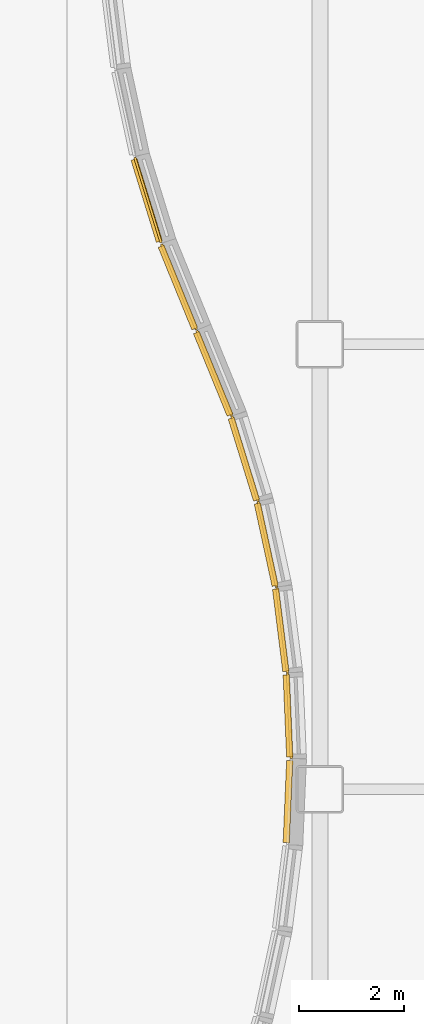
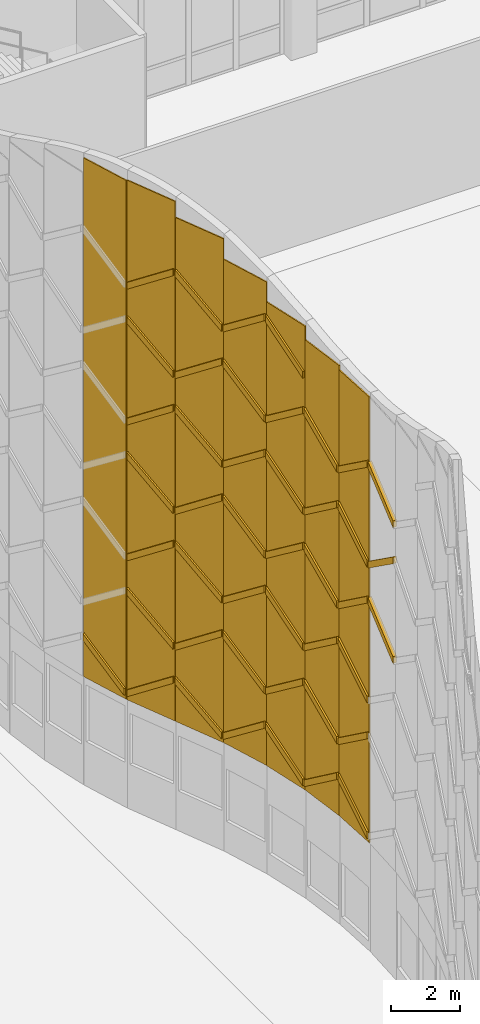
# One storey, part 153 of 165: 51 coverings.
"""IFC4 building model written with IfcOpenShell, lengths in metres."""

from ifc_helpers import new_model, si_unit, direction, frame, origin, origin_2d, place, context, subcontext, project, spatial, polyline, rectangle, outline, extrude, material, layer, layer_set, type_object, element, save


model = new_model("IFC4")

# Units and contexts
model_context = context("Model", 3, precision=1e-05, world=origin(), true_north=direction((0.0, 1.0)))
body_context = subcontext(model_context, "Body", "Model", "MODEL_VIEW")
ifc_project = project(units=[si_unit("LENGTHUNIT", "METRE"), si_unit("AREAUNIT", "SQUARE_METRE"), si_unit("VOLUMEUNIT", "CUBIC_METRE"), si_unit("PLANEANGLEUNIT", "RADIAN"), si_unit("MASSUNIT", "GRAM", prefix="KILO")], contexts=[model_context])

# Site, building, storey
site_placement = place(None, origin())
site = spatial("IfcSite", under=ifc_project, at=site_placement, CompositionType="ELEMENT")
building_placement = place(site_placement, origin())
building = spatial("IfcBuilding", under=site, at=building_placement, Name="Kazehara Bluff Congress Hotel", CompositionType="ELEMENT")
storey_placement = place(building_placement, origin())
storey = spatial("IfcBuildingStorey", under=building, at=storey_placement, Name="L00", CompositionType="ELEMENT", Elevation=0.0)

# Coverings
ifc_material_1 = material(Name="Basalt stone-grey chevron ceramic tile", Category="masonry")
ifc_layer_1 = layer(ifc_material_1, 0.1201171875)
ifc_layer_set_1 = layer_set([ifc_layer_1], Name="Basalt stone-grey chevron ceramic tile")
covering_type_1 = type_object("IfcCoveringType", Name="TP-CHV-RIB", PredefinedType="CLADDING", material=ifc_layer_set_1)
covering_1_placement = place(storey_placement, frame((4.159912109375, 71.39501953125, 11.199951171875), z_axis=(0.0, 0.0, 1.0), x_axis=(0.042688459142, 0.99908843225, 0.0)))
element("IfcCovering", 1, at=covering_1_placement, inside=storey, type_object=covering_type_1, Name="Chevron stone-grey tile rib WR-V1-15-4", PredefinedType="CLADDING", context=body_context, shape_type="SweptSolid", body=[
    extrude(outline(polyline([(0.0400390625, 0.0), (1.60009765625, 1.125), (1.60009765625, 1.364990234375), (0.0400390625, 0.239990234375), (0.0400390625, 0.0)])), frame((0.0, 0.06005859375, 0.0), z_axis=(0.0, -1.0, 0.0), x_axis=(1.0, 0.0, 0.0)), (0.0, 0.0, 1.0), 0.1201171875),
])
covering_2_placement = place(storey_placement, frame((4.159912109375, 71.39501953125, 13.60009765625), z_axis=(0.0, 0.0, 1.0), x_axis=(0.042688459142, 0.99908843225, 0.0)))
element("IfcCovering", 2, at=covering_2_placement, inside=storey, type_object=covering_type_1, Name="Chevron stone-grey tile rib WR-V1-15-5", PredefinedType="CLADDING", context=body_context, shape_type="SweptSolid", body=[
    extrude(outline(polyline([(0.0400390625, 1.125), (1.60009765625, 0.0), (1.60009765625, 0.239990234375), (0.0400390625, 1.364990234375), (0.0400390625, 1.125)])), frame((0.0, 0.06005859375, 0.0), z_axis=(0.0, -1.0, 0.0), x_axis=(1.0, 0.0, 0.0)), (0.0, 0.0, 1.0), 0.1201171875),
])
for number, where, z_axis, x_axis, name in (
    (3, (4.159912109375, 71.39501953125, 16.0), (0.0, 0.0, 1.0), (0.042688459142, 0.99908843225, 0.0), "Chevron stone-grey tile rib WR-V1-15-6"),
    (4, (4.22998046875, 73.02490234375, 4.0), (0.0, 0.0, 1.0), (-0.042682116378, 0.99908870324, 0.0), "Chevron stone-grey tile rib WR-V1-16-1"),
):
    element("IfcCovering", number, at=place(storey_placement, frame(where, z_axis=z_axis, x_axis=x_axis)), inside=storey, type_object=covering_type_1, Name=name, PredefinedType="CLADDING", context=body_context, shape_type="SweptSolid", body=[
        extrude(outline(polyline([(0.0400390625, 0.0), (1.60009765625, 1.125), (1.60009765625, 1.364990234375), (0.0400390625, 0.239990234375), (0.0400390625, 0.0)])), frame((0.0, 0.06005859375, 0.0), z_axis=(0.0, -1.0, 0.0), x_axis=(1.0, 0.0, 0.0)), (0.0, 0.0, 1.0), 0.1201171875),
    ])
covering_3_placement = place(storey_placement, frame((4.22998046875, 73.02490234375, 6.39990234375), z_axis=(0.0, 0.0, 1.0), x_axis=(-0.042682116378, 0.99908870324, 0.0)))
element("IfcCovering", 5, at=covering_3_placement, inside=storey, type_object=covering_type_1, Name="Chevron stone-grey tile rib WR-V1-16-2", PredefinedType="CLADDING", context=body_context, shape_type="SweptSolid", body=[
    extrude(outline(polyline([(0.0400390625, 1.125), (1.60009765625, 0.0), (1.60009765625, 0.239990234375), (0.0400390625, 1.364990234375), (0.0400390625, 1.125)])), frame((0.0, 0.06005859375, 0.0), z_axis=(0.0, -1.0, 0.0), x_axis=(1.0, 0.0, 0.0)), (0.0, 0.0, 1.0), 0.1201171875),
])
covering_4_placement = place(storey_placement, frame((4.22998046875, 73.02490234375, 8.800048828125), z_axis=(0.0, 0.0, 1.0), x_axis=(-0.042682116378, 0.99908870324, 0.0)))
element("IfcCovering", 6, at=covering_4_placement, inside=storey, type_object=covering_type_1, Name="Chevron stone-grey tile rib WR-V1-16-3", PredefinedType="CLADDING", context=body_context, shape_type="SweptSolid", body=[
    extrude(outline(polyline([(0.0400390625, 0.0), (1.60009765625, 1.125), (1.60009765625, 1.364990234375), (0.0400390625, 0.239990234375), (0.0400390625, 0.0)])), frame((0.0, 0.06005859375, 0.0), z_axis=(0.0, -1.0, 0.0), x_axis=(1.0, 0.0, 0.0)), (0.0, 0.0, 1.0), 0.1201171875),
])
covering_5_placement = place(storey_placement, frame((4.22998046875, 73.02490234375, 11.199951171875), z_axis=(0.0, 0.0, 1.0), x_axis=(-0.042682116378, 0.99908870324, 0.0)))
element("IfcCovering", 7, at=covering_5_placement, inside=storey, type_object=covering_type_1, Name="Chevron stone-grey tile rib WR-V1-16-4", PredefinedType="CLADDING", context=body_context, shape_type="SweptSolid", body=[
    extrude(outline(polyline([(0.0400390625, 1.125), (1.60009765625, 0.0), (1.60009765625, 0.239990234375), (0.0400390625, 1.364990234375), (0.0400390625, 1.125)])), frame((0.0, 0.06005859375, 0.0), z_axis=(0.0, -1.0, 0.0), x_axis=(1.0, 0.0, 0.0)), (0.0, 0.0, 1.0), 0.1201171875),
])
covering_6_placement = place(storey_placement, frame((4.22998046875, 73.02490234375, 13.60009765625), z_axis=(0.0, 0.0, 1.0), x_axis=(-0.042682116378, 0.99908870324, 0.0)))
element("IfcCovering", 8, at=covering_6_placement, inside=storey, type_object=covering_type_1, Name="Chevron stone-grey tile rib WR-V1-16-5", PredefinedType="CLADDING", context=body_context, shape_type="SweptSolid", body=[
    extrude(outline(polyline([(0.0400390625, 0.0), (1.60009765625, 1.125), (1.60009765625, 1.364990234375), (0.0400390625, 0.239990234375), (0.0400390625, 0.0)])), frame((0.0, 0.06005859375, 0.0), z_axis=(0.0, -1.0, 0.0), x_axis=(1.0, 0.0, 0.0)), (0.0, 0.0, 1.0), 0.1201171875),
])
covering_7_placement = place(storey_placement, frame((4.22998046875, 73.02490234375, 16.0), z_axis=(0.0, 0.0, 1.0), x_axis=(-0.042682116378, 0.99908870324, 0.0)))
element("IfcCovering", 9, at=covering_7_placement, inside=storey, type_object=covering_type_1, Name="Chevron stone-grey tile rib WR-V1-16-6", PredefinedType="CLADDING", context=body_context, shape_type="SweptSolid", body=[
    extrude(outline(polyline([(0.0400390625, 1.125), (1.60009765625, 0.0), (1.60009765625, 0.239990234375), (0.0400390625, 1.364990234375), (0.0400390625, 1.125)])), frame((0.0, 0.06005859375, 0.0), z_axis=(0.0, -1.0, 0.0), x_axis=(1.0, 0.0, 0.0)), (0.0, 0.0, 1.0), 0.1201171875),
])
covering_8_placement = place(storey_placement, frame((4.159912109375, 74.64990234375, 4.0), z_axis=(0.0, 0.0, 1.0), x_axis=(-0.123925658354, 0.992291505154, 0.0)))
element("IfcCovering", 10, at=covering_8_placement, inside=storey, type_object=covering_type_1, Name="Chevron stone-grey tile rib WR-V1-17-1", PredefinedType="CLADDING", context=body_context, shape_type="SweptSolid", body=[
    extrude(outline(polyline([(0.0400390625, 1.135009765625), (1.614990234375, 0.0), (1.614990234375, 0.239990234375), (0.0400390625, 1.375), (0.0400390625, 1.135009765625)])), frame((0.0, 0.06005859375, 0.0), z_axis=(0.0, -1.0, 0.0), x_axis=(1.0, 0.0, 0.0)), (0.0, 0.0, 1.0), 0.1201171875),
])
covering_9_placement = place(storey_placement, frame((4.159912109375, 74.64990234375, 6.39990234375), z_axis=(0.0, 0.0, 1.0), x_axis=(-0.123925658354, 0.992291505154, 0.0)))
element("IfcCovering", 11, at=covering_9_placement, inside=storey, type_object=covering_type_1, Name="Chevron stone-grey tile rib WR-V1-17-2", PredefinedType="CLADDING", context=body_context, shape_type="SweptSolid", body=[
    extrude(outline(polyline([(0.0400390625, 0.0), (1.614990234375, 1.135009765625), (1.614990234375, 1.375), (0.0400390625, 0.239990234375), (0.0400390625, 0.0)])), frame((0.0, 0.06005859375, 0.0), z_axis=(0.0, -1.0, 0.0), x_axis=(1.0, 0.0, 0.0)), (0.0, 0.0, 1.0), 0.1201171875),
])
covering_10_placement = place(storey_placement, frame((4.159912109375, 74.64990234375, 8.800048828125), z_axis=(0.0, 0.0, 1.0), x_axis=(-0.123925658354, 0.992291505154, 0.0)))
element("IfcCovering", 12, at=covering_10_placement, inside=storey, type_object=covering_type_1, Name="Chevron stone-grey tile rib WR-V1-17-3", PredefinedType="CLADDING", context=body_context, shape_type="SweptSolid", body=[
    extrude(outline(polyline([(0.0400390625, 1.135009765625), (1.614990234375, 0.0), (1.614990234375, 0.239990234375), (0.0400390625, 1.375), (0.0400390625, 1.135009765625)])), frame((0.0, 0.06005859375, 0.0), z_axis=(0.0, -1.0, 0.0), x_axis=(1.0, 0.0, 0.0)), (0.0, 0.0, 1.0), 0.1201171875),
])
covering_11_placement = place(storey_placement, frame((4.159912109375, 74.64990234375, 11.199951171875), z_axis=(0.0, 0.0, 1.0), x_axis=(-0.123925658354, 0.992291505154, 0.0)))
element("IfcCovering", 13, at=covering_11_placement, inside=storey, type_object=covering_type_1, Name="Chevron stone-grey tile rib WR-V1-17-4", PredefinedType="CLADDING", context=body_context, shape_type="SweptSolid", body=[
    extrude(outline(polyline([(0.0400390625, 0.0), (1.614990234375, 1.135009765625), (1.614990234375, 1.375), (0.0400390625, 0.239990234375), (0.0400390625, 0.0)])), frame((0.0, 0.06005859375, 0.0), z_axis=(0.0, -1.0, 0.0), x_axis=(1.0, 0.0, 0.0)), (0.0, 0.0, 1.0), 0.1201171875),
])
covering_12_placement = place(storey_placement, frame((4.159912109375, 74.64990234375, 13.60009765625), z_axis=(0.0, 0.0, 1.0), x_axis=(-0.123925658354, 0.992291505154, 0.0)))
element("IfcCovering", 14, at=covering_12_placement, inside=storey, type_object=covering_type_1, Name="Chevron stone-grey tile rib WR-V1-17-5", PredefinedType="CLADDING", context=body_context, shape_type="SweptSolid", body=[
    extrude(outline(polyline([(0.0400390625, 1.135009765625), (1.614990234375, 0.0), (1.614990234375, 0.239990234375), (0.0400390625, 1.375), (0.0400390625, 1.135009765625)])), frame((0.0, 0.06005859375, 0.0), z_axis=(0.0, -1.0, 0.0), x_axis=(1.0, 0.0, 0.0)), (0.0, 0.0, 1.0), 0.1201171875),
])
covering_13_placement = place(storey_placement, frame((4.159912109375, 74.64990234375, 16.0), z_axis=(0.0, 0.0, 1.0), x_axis=(-0.123925658354, 0.992291505154, 0.0)))
element("IfcCovering", 15, at=covering_13_placement, inside=storey, type_object=covering_type_1, Name="Chevron stone-grey tile rib WR-V1-17-6", PredefinedType="CLADDING", context=body_context, shape_type="SweptSolid", body=[
    extrude(outline(polyline([(0.0400390625, 0.0), (1.614990234375, 1.135009765625), (1.614990234375, 1.375), (0.0400390625, 0.239990234375), (0.0400390625, 0.0)])), frame((0.0, 0.06005859375, 0.0), z_axis=(0.0, -1.0, 0.0), x_axis=(1.0, 0.0, 0.0)), (0.0, 0.0, 1.0), 0.1201171875),
])
covering_14_placement = place(storey_placement, frame((3.9599609375, 76.27490234375, 4.0), z_axis=(0.0, 0.0, 1.0), x_axis=(-0.2115356349, 0.977370285597, 0.0)))
element("IfcCovering", 16, at=covering_14_placement, inside=storey, type_object=covering_type_1, Name="Chevron stone-grey tile rib WR-V1-18-1", PredefinedType="CLADDING", context=body_context, shape_type="SweptSolid", body=[
    extrude(outline(polyline([(0.0400390625, 0.0), (1.639892578125, 1.14990234375), (1.639892578125, 1.389892578125), (0.0400390625, 0.239990234375), (0.0400390625, 0.0)])), frame((0.0, 0.06005859375, 0.0), z_axis=(0.0, -1.0, 0.0), x_axis=(1.0, 0.0, 0.0)), (0.0, 0.0, 1.0), 0.1201171875),
])
covering_15_placement = place(storey_placement, frame((3.9599609375, 76.27490234375, 6.39990234375), z_axis=(0.0, 0.0, 1.0), x_axis=(-0.2115356349, 0.977370285597, 0.0)))
element("IfcCovering", 17, at=covering_15_placement, inside=storey, type_object=covering_type_1, Name="Chevron stone-grey tile rib WR-V1-18-2", PredefinedType="CLADDING", context=body_context, shape_type="SweptSolid", body=[
    extrude(outline(polyline([(0.0400390625, 1.150146484375), (1.639892578125, 0.0), (1.639892578125, 0.239990234375), (0.0400390625, 1.39013671875), (0.0400390625, 1.150146484375)])), frame((0.0, 0.06005859375, 0.0), z_axis=(0.0, -1.0, 0.0), x_axis=(1.0, 0.0, 0.0)), (0.0, 0.0, 1.0), 0.1201171875),
])
covering_16_placement = place(storey_placement, frame((3.9599609375, 76.27490234375, 8.800048828125), z_axis=(0.0, 0.0, 1.0), x_axis=(-0.2115356349, 0.977370285597, 0.0)))
element("IfcCovering", 18, at=covering_16_placement, inside=storey, type_object=covering_type_1, Name="Chevron stone-grey tile rib WR-V1-18-3", PredefinedType="CLADDING", context=body_context, shape_type="SweptSolid", body=[
    extrude(outline(polyline([(0.0400390625, 0.0), (1.639892578125, 1.14990234375), (1.639892578125, 1.389892578125), (0.0400390625, 0.239990234375), (0.0400390625, 0.0)])), frame((0.0, 0.06005859375, 0.0), z_axis=(0.0, -1.0, 0.0), x_axis=(1.0, 0.0, 0.0)), (0.0, 0.0, 1.0), 0.1201171875),
])
covering_17_placement = place(storey_placement, frame((3.9599609375, 76.27490234375, 11.199951171875), z_axis=(0.0, 0.0, 1.0), x_axis=(-0.2115356349, 0.977370285597, 0.0)))
element("IfcCovering", 19, at=covering_17_placement, inside=storey, type_object=covering_type_1, Name="Chevron stone-grey tile rib WR-V1-18-4", PredefinedType="CLADDING", context=body_context, shape_type="SweptSolid", body=[
    extrude(outline(polyline([(0.0400390625, 1.150146484375), (1.639892578125, 0.0), (1.639892578125, 0.239990234375), (0.0400390625, 1.39013671875), (0.0400390625, 1.150146484375)])), frame((0.0, 0.06005859375, 0.0), z_axis=(0.0, -1.0, 0.0), x_axis=(1.0, 0.0, 0.0)), (0.0, 0.0, 1.0), 0.1201171875),
])
covering_18_placement = place(storey_placement, frame((3.9599609375, 76.27490234375, 13.60009765625), z_axis=(0.0, 0.0, 1.0), x_axis=(-0.2115356349, 0.977370285597, 0.0)))
element("IfcCovering", 20, at=covering_18_placement, inside=storey, type_object=covering_type_1, Name="Chevron stone-grey tile rib WR-V1-18-5", PredefinedType="CLADDING", context=body_context, shape_type="SweptSolid", body=[
    extrude(outline(polyline([(0.0400390625, 0.0), (1.639892578125, 1.14990234375), (1.639892578125, 1.389892578125), (0.0400390625, 0.239990234375), (0.0400390625, 0.0)])), frame((0.0, 0.06005859375, 0.0), z_axis=(0.0, -1.0, 0.0), x_axis=(1.0, 0.0, 0.0)), (0.0, 0.0, 1.0), 0.1201171875),
])
covering_19_placement = place(storey_placement, frame((3.9599609375, 76.27490234375, 16.0), z_axis=(0.0, 0.0, 1.0), x_axis=(-0.2115356349, 0.977370285597, 0.0)))
element("IfcCovering", 21, at=covering_19_placement, inside=storey, type_object=covering_type_1, Name="Chevron stone-grey tile rib WR-V1-18-6", PredefinedType="CLADDING", context=body_context, shape_type="SweptSolid", body=[
    extrude(outline(polyline([(0.0400390625, 1.14990234375), (1.639892578125, 0.0), (1.639892578125, 0.239990234375), (0.0400390625, 1.389892578125), (0.0400390625, 1.14990234375)])), frame((0.0, 0.06005859375, 0.0), z_axis=(0.0, -1.0, 0.0), x_axis=(1.0, 0.0, 0.0)), (0.0, 0.0, 1.0), 0.1201171875),
])
covering_20_placement = place(storey_placement, frame((3.9599609375, 76.27490234375, 18.39990234375), z_axis=(0.0, 0.0, 1.0), x_axis=(-0.2115356349, 0.977370285597, 0.0)))
element("IfcCovering", 22, at=covering_20_placement, inside=storey, type_object=covering_type_1, Name="Chevron stone-grey tile rib WR-V1-18-7", PredefinedType="CLADDING", context=body_context, shape_type="SweptSolid", body=[
    extrude(outline(polyline([(0.0400390625, 0.0), (1.639892578125, 1.150146484375), (1.639892578125, 1.39013671875), (0.0400390625, 0.239990234375), (0.0400390625, 0.0)])), frame((0.0, 0.06005859375, 0.0), z_axis=(0.0, -1.0, 0.0), x_axis=(1.0, 0.0, 0.0)), (0.0, 0.0, 1.0), 0.1201171875),
])
covering_21_placement = place(storey_placement, frame((3.610107421875, 77.89990234375, 4.0), z_axis=(0.0, 0.0, 1.0), x_axis=(-0.295178410165, 0.955442152185, 0.0)))
element("IfcCovering", 23, at=covering_21_placement, inside=storey, type_object=covering_type_1, Name="Chevron stone-grey tile rib WR-V1-19-1", PredefinedType="CLADDING", context=body_context, shape_type="SweptSolid", body=[
    extrude(outline(polyline([(0.0400390625, 1.175048828125), (1.669921875, 0.0), (1.669921875, 0.239990234375), (0.0400390625, 1.4150390625), (0.0400390625, 1.175048828125)])), frame((0.0, 0.06005859375, 0.0), z_axis=(0.0, -1.0, 0.0), x_axis=(1.0, 0.0, 0.0)), (0.0, 0.0, 1.0), 0.1201171875),
])
covering_22_placement = place(storey_placement, frame((3.610107421875, 77.89990234375, 6.39990234375), z_axis=(0.0, 0.0, 1.0), x_axis=(-0.295178410165, 0.955442152185, 0.0)))
element("IfcCovering", 24, at=covering_22_placement, inside=storey, type_object=covering_type_1, Name="Chevron stone-grey tile rib WR-V1-19-2", PredefinedType="CLADDING", context=body_context, shape_type="SweptSolid", body=[
    extrude(outline(polyline([(0.0400390625, 0.0), (1.669921875, 1.175048828125), (1.669921875, 1.4150390625), (0.0400390625, 0.239990234375), (0.0400390625, 0.0)])), frame((0.0, 0.06005859375, 0.0), z_axis=(0.0, -1.0, 0.0), x_axis=(1.0, 0.0, 0.0)), (0.0, 0.0, 1.0), 0.1201171875),
])
covering_23_placement = place(storey_placement, frame((3.610107421875, 77.89990234375, 8.800048828125), z_axis=(0.0, 0.0, 1.0), x_axis=(-0.295178410165, 0.955442152185, 0.0)))
element("IfcCovering", 25, at=covering_23_placement, inside=storey, type_object=covering_type_1, Name="Chevron stone-grey tile rib WR-V1-19-3", PredefinedType="CLADDING", context=body_context, shape_type="SweptSolid", body=[
    extrude(outline(polyline([(0.0400390625, 1.175048828125), (1.669921875, 0.0), (1.669921875, 0.239990234375), (0.0400390625, 1.4150390625), (0.0400390625, 1.175048828125)])), frame((0.0, 0.06005859375, 0.0), z_axis=(0.0, -1.0, 0.0), x_axis=(1.0, 0.0, 0.0)), (0.0, 0.0, 1.0), 0.1201171875),
])
covering_24_placement = place(storey_placement, frame((3.610107421875, 77.89990234375, 11.199951171875), z_axis=(0.0, 0.0, 1.0), x_axis=(-0.295178410165, 0.955442152185, 0.0)))
element("IfcCovering", 26, at=covering_24_placement, inside=storey, type_object=covering_type_1, Name="Chevron stone-grey tile rib WR-V1-19-4", PredefinedType="CLADDING", context=body_context, shape_type="SweptSolid", body=[
    extrude(outline(polyline([(0.0400390625, 0.0), (1.669921875, 1.175048828125), (1.669921875, 1.4150390625), (0.0400390625, 0.239990234375), (0.0400390625, 0.0)])), frame((0.0, 0.06005859375, 0.0), z_axis=(0.0, -1.0, 0.0), x_axis=(1.0, 0.0, 0.0)), (0.0, 0.0, 1.0), 0.1201171875),
])
covering_25_placement = place(storey_placement, frame((3.610107421875, 77.89990234375, 13.60009765625), z_axis=(0.0, 0.0, 1.0), x_axis=(-0.295178410165, 0.955442152185, 0.0)))
element("IfcCovering", 27, at=covering_25_placement, inside=storey, type_object=covering_type_1, Name="Chevron stone-grey tile rib WR-V1-19-5", PredefinedType="CLADDING", context=body_context, shape_type="SweptSolid", body=[
    extrude(outline(polyline([(0.0400390625, 1.1748046875), (1.669921875, 0.0), (1.669921875, 0.239990234375), (0.0400390625, 1.414794921875), (0.0400390625, 1.1748046875)])), frame((0.0, 0.06005859375, 0.0), z_axis=(0.0, -1.0, 0.0), x_axis=(1.0, 0.0, 0.0)), (0.0, 0.0, 1.0), 0.1201171875),
])
covering_26_placement = place(storey_placement, frame((3.610107421875, 77.89990234375, 16.0), z_axis=(0.0, 0.0, 1.0), x_axis=(-0.295178410165, 0.955442152185, 0.0)))
element("IfcCovering", 28, at=covering_26_placement, inside=storey, type_object=covering_type_1, Name="Chevron stone-grey tile rib WR-V1-19-6", PredefinedType="CLADDING", context=body_context, shape_type="SweptSolid", body=[
    extrude(outline(polyline([(0.0400390625, 0.0), (1.669921875, 1.175048828125), (1.669921875, 1.4150390625), (0.0400390625, 0.239990234375), (0.0400390625, 0.0)])), frame((0.0, 0.06005859375, 0.0), z_axis=(0.0, -1.0, 0.0), x_axis=(1.0, 0.0, 0.0)), (0.0, 0.0, 1.0), 0.1201171875),
])
covering_27_placement = place(storey_placement, frame((3.610107421875, 77.89990234375, 18.39990234375), z_axis=(0.0, 0.0, 1.0), x_axis=(-0.295178410165, 0.955442152185, 0.0)))
element("IfcCovering", 29, at=covering_27_placement, inside=storey, type_object=covering_type_1, Name="Chevron stone-grey tile rib WR-V1-19-7", PredefinedType="CLADDING", context=body_context, shape_type="SweptSolid", body=[
    extrude(outline(polyline([(0.0400390625, 1.175048828125), (1.669921875, 0.0), (1.669921875, 0.239990234375), (0.0400390625, 1.4150390625), (0.0400390625, 1.175048828125)])), frame((0.0, 0.06005859375, 0.0), z_axis=(0.0, -1.0, 0.0), x_axis=(1.0, 0.0, 0.0)), (0.0, 0.0, 1.0), 0.1201171875),
])
covering_28_placement = place(storey_placement, frame((3.110107421875, 79.52001953125, 4.0), z_axis=(0.0, 0.0, 1.0), x_axis=(-0.378294753484, 0.925685194592, 0.0)))
element("IfcCovering", 30, at=covering_28_placement, inside=storey, type_object=covering_type_1, Name="Chevron stone-grey tile rib WR-V1-20-1", PredefinedType="CLADDING", context=body_context, shape_type="SweptSolid", body=[
    extrude(outline(polyline([(0.0400390625, 0.0), (1.72998046875, 1.199951171875), (1.72998046875, 1.43994140625), (0.0400390625, 0.239990234375), (0.0400390625, 0.0)])), frame((0.0, 0.06005859375, 0.0), z_axis=(0.0, -1.0, 0.0), x_axis=(1.0, 0.0, 0.0)), (0.0, 0.0, 1.0), 0.1201171875),
])
covering_29_placement = place(storey_placement, frame((3.110107421875, 79.52001953125, 6.39990234375), z_axis=(0.0, 0.0, 1.0), x_axis=(-0.378294753484, 0.925685194592, 0.0)))
element("IfcCovering", 31, at=covering_29_placement, inside=storey, type_object=covering_type_1, Name="Chevron stone-grey tile rib WR-V1-20-2", PredefinedType="CLADDING", context=body_context, shape_type="SweptSolid", body=[
    extrude(outline(polyline([(0.0400390625, 1.2001953125), (1.72998046875, 0.0), (1.72998046875, 0.239990234375), (0.0400390625, 1.440185546875), (0.0400390625, 1.2001953125)])), frame((0.0, 0.06005859375, 0.0), z_axis=(0.0, -1.0, 0.0), x_axis=(1.0, 0.0, 0.0)), (0.0, 0.0, 1.0), 0.1201171875),
])
covering_30_placement = place(storey_placement, frame((3.110107421875, 79.52001953125, 8.800048828125), z_axis=(0.0, 0.0, 1.0), x_axis=(-0.378294753484, 0.925685194592, 0.0)))
element("IfcCovering", 32, at=covering_30_placement, inside=storey, type_object=covering_type_1, Name="Chevron stone-grey tile rib WR-V1-20-3", PredefinedType="CLADDING", context=body_context, shape_type="SweptSolid", body=[
    extrude(outline(polyline([(0.0400390625, 0.0), (1.72998046875, 1.199951171875), (1.72998046875, 1.43994140625), (0.0400390625, 0.239990234375), (0.0400390625, 0.0)])), frame((0.0, 0.06005859375, 0.0), z_axis=(0.0, -1.0, 0.0), x_axis=(1.0, 0.0, 0.0)), (0.0, 0.0, 1.0), 0.1201171875),
])
covering_31_placement = place(storey_placement, frame((3.110107421875, 79.52001953125, 11.199951171875), z_axis=(0.0, 0.0, 1.0), x_axis=(-0.378294753484, 0.925685194592, 0.0)))
element("IfcCovering", 33, at=covering_31_placement, inside=storey, type_object=covering_type_1, Name="Chevron stone-grey tile rib WR-V1-20-4", PredefinedType="CLADDING", context=body_context, shape_type="SweptSolid", body=[
    extrude(outline(polyline([(0.0400390625, 1.199951171875), (1.72998046875, 0.0), (1.72998046875, 0.239990234375), (0.0400390625, 1.43994140625), (0.0400390625, 1.199951171875)])), frame((0.0, 0.06005859375, 0.0), z_axis=(0.0, -1.0, 0.0), x_axis=(1.0, 0.0, 0.0)), (0.0, 0.0, 1.0), 0.1201171875),
])
covering_32_placement = place(storey_placement, frame((3.110107421875, 79.52001953125, 13.60009765625), z_axis=(0.0, 0.0, 1.0), x_axis=(-0.378294753484, 0.925685194592, 0.0)))
element("IfcCovering", 34, at=covering_32_placement, inside=storey, type_object=covering_type_1, Name="Chevron stone-grey tile rib WR-V1-20-5", PredefinedType="CLADDING", context=body_context, shape_type="SweptSolid", body=[
    extrude(outline(polyline([(0.0400390625, 0.0), (1.72998046875, 1.199951171875), (1.72998046875, 1.43994140625), (0.0400390625, 0.239990234375), (0.0400390625, 0.0)])), frame((0.0, 0.06005859375, 0.0), z_axis=(0.0, -1.0, 0.0), x_axis=(1.0, 0.0, 0.0)), (0.0, 0.0, 1.0), 0.1201171875),
])
covering_33_placement = place(storey_placement, frame((3.110107421875, 79.52001953125, 16.0), z_axis=(0.0, 0.0, 1.0), x_axis=(-0.378294753484, 0.925685194592, 0.0)))
element("IfcCovering", 35, at=covering_33_placement, inside=storey, type_object=covering_type_1, Name="Chevron stone-grey tile rib WR-V1-20-6", PredefinedType="CLADDING", context=body_context, shape_type="SweptSolid", body=[
    extrude(outline(polyline([(0.0400390625, 1.199951171875), (1.72998046875, 0.0), (1.72998046875, 0.239990234375), (0.0400390625, 1.43994140625), (0.0400390625, 1.199951171875)])), frame((0.0, 0.06005859375, 0.0), z_axis=(0.0, -1.0, 0.0), x_axis=(1.0, 0.0, 0.0)), (0.0, 0.0, 1.0), 0.1201171875),
])
covering_34_placement = place(storey_placement, frame((3.110107421875, 79.52001953125, 18.39990234375), z_axis=(0.0, 0.0, 1.0), x_axis=(-0.378294753484, 0.925685194592, 0.0)))
element("IfcCovering", 36, at=covering_34_placement, inside=storey, type_object=covering_type_1, Name="Chevron stone-grey tile rib WR-V1-20-7", PredefinedType="CLADDING", context=body_context, shape_type="SweptSolid", body=[
    extrude(outline(polyline([(0.0400390625, 0.0), (1.72998046875, 1.2001953125), (1.72998046875, 1.440185546875), (0.0400390625, 0.239990234375), (0.0400390625, 0.0)])), frame((0.0, 0.06005859375, 0.0), z_axis=(0.0, -1.0, 0.0), x_axis=(1.0, 0.0, 0.0)), (0.0, 0.0, 1.0), 0.1201171875),
])
covering_35_placement = place(storey_placement, frame((2.43994140625, 81.159912109375, 4.0), z_axis=(0.0, 0.0, 1.0), x_axis=(-0.378128410159, 0.925753155777, 0.0)))
element("IfcCovering", 37, at=covering_35_placement, inside=storey, type_object=covering_type_1, Name="Chevron stone-grey tile rib WR-V1-21-1", PredefinedType="CLADDING", context=body_context, shape_type="SweptSolid", body=[
    extrude(outline(polyline([(0.0400390625, 1.199951171875), (1.72998046875, 0.0), (1.72998046875, 0.239990234375), (0.0400390625, 1.43994140625), (0.0400390625, 1.199951171875)])), frame((0.0, 0.06005859375, 0.0), z_axis=(0.0, -1.0, 0.0), x_axis=(1.0, 0.0, 0.0)), (0.0, 0.0, 1.0), 0.1201171875),
])
covering_36_placement = place(storey_placement, frame((2.43994140625, 81.159912109375, 6.39990234375), z_axis=(0.0, 0.0, 1.0), x_axis=(-0.378128410159, 0.925753155777, 0.0)))
element("IfcCovering", 38, at=covering_36_placement, inside=storey, type_object=covering_type_1, Name="Chevron stone-grey tile rib WR-V1-21-2", PredefinedType="CLADDING", context=body_context, shape_type="SweptSolid", body=[
    extrude(outline(polyline([(0.0400390625, 0.0), (1.72998046875, 1.2001953125), (1.72998046875, 1.440185546875), (0.0400390625, 0.239990234375), (0.0400390625, 0.0)])), frame((0.0, 0.06005859375, 0.0), z_axis=(0.0, -1.0, 0.0), x_axis=(1.0, 0.0, 0.0)), (0.0, 0.0, 1.0), 0.1201171875),
])
covering_37_placement = place(storey_placement, frame((2.43994140625, 81.159912109375, 8.800048828125), z_axis=(0.0, 0.0, 1.0), x_axis=(-0.378128410159, 0.925753155777, 0.0)))
element("IfcCovering", 39, at=covering_37_placement, inside=storey, type_object=covering_type_1, Name="Chevron stone-grey tile rib WR-V1-21-3", PredefinedType="CLADDING", context=body_context, shape_type="SweptSolid", body=[
    extrude(outline(polyline([(0.0400390625, 1.199951171875), (1.72998046875, 0.0), (1.72998046875, 0.239990234375), (0.0400390625, 1.43994140625), (0.0400390625, 1.199951171875)])), frame((0.0, 0.06005859375, 0.0), z_axis=(0.0, -1.0, 0.0), x_axis=(1.0, 0.0, 0.0)), (0.0, 0.0, 1.0), 0.1201171875),
])
covering_38_placement = place(storey_placement, frame((2.43994140625, 81.159912109375, 11.199951171875), z_axis=(0.0, 0.0, 1.0), x_axis=(-0.378128410159, 0.925753155777, 0.0)))
element("IfcCovering", 40, at=covering_38_placement, inside=storey, type_object=covering_type_1, Name="Chevron stone-grey tile rib WR-V1-21-4", PredefinedType="CLADDING", context=body_context, shape_type="SweptSolid", body=[
    extrude(outline(polyline([(0.0400390625, 0.0), (1.72998046875, 1.199951171875), (1.72998046875, 1.43994140625), (0.0400390625, 0.239990234375), (0.0400390625, 0.0)])), frame((0.0, 0.06005859375, 0.0), z_axis=(0.0, -1.0, 0.0), x_axis=(1.0, 0.0, 0.0)), (0.0, 0.0, 1.0), 0.1201171875),
])
covering_39_placement = place(storey_placement, frame((2.43994140625, 81.159912109375, 13.60009765625), z_axis=(0.0, 0.0, 1.0), x_axis=(-0.378128410159, 0.925753155777, 0.0)))
element("IfcCovering", 41, at=covering_39_placement, inside=storey, type_object=covering_type_1, Name="Chevron stone-grey tile rib WR-V1-21-5", PredefinedType="CLADDING", context=body_context, shape_type="SweptSolid", body=[
    extrude(outline(polyline([(0.0400390625, 1.199951171875), (1.72998046875, 0.0), (1.72998046875, 0.239990234375), (0.0400390625, 1.43994140625), (0.0400390625, 1.199951171875)])), frame((0.0, 0.06005859375, 0.0), z_axis=(0.0, -1.0, 0.0), x_axis=(1.0, 0.0, 0.0)), (0.0, 0.0, 1.0), 0.1201171875),
])
covering_40_placement = place(storey_placement, frame((2.43994140625, 81.159912109375, 16.0), z_axis=(0.0, 0.0, 1.0), x_axis=(-0.378128410159, 0.925753155777, 0.0)))
element("IfcCovering", 42, at=covering_40_placement, inside=storey, type_object=covering_type_1, Name="Chevron stone-grey tile rib WR-V1-21-6", PredefinedType="CLADDING", context=body_context, shape_type="SweptSolid", body=[
    extrude(outline(polyline([(0.0400390625, 0.0), (1.72998046875, 1.199951171875), (1.72998046875, 1.43994140625), (0.0400390625, 0.239990234375), (0.0400390625, 0.0)])), frame((0.0, 0.06005859375, 0.0), z_axis=(0.0, -1.0, 0.0), x_axis=(1.0, 0.0, 0.0)), (0.0, 0.0, 1.0), 0.1201171875),
])
covering_41_placement = place(storey_placement, frame((2.43994140625, 81.159912109375, 18.39990234375), z_axis=(0.0, 0.0, 1.0), x_axis=(-0.378128410159, 0.925753155777, 0.0)))
element("IfcCovering", 43, at=covering_41_placement, inside=storey, type_object=covering_type_1, Name="Chevron stone-grey tile rib WR-V1-21-7", PredefinedType="CLADDING", context=body_context, shape_type="SweptSolid", body=[
    extrude(outline(polyline([(0.0400390625, 1.2001953125), (1.72998046875, 0.0), (1.72998046875, 0.239990234375), (0.0400390625, 1.440185546875), (0.0400390625, 1.2001953125)])), frame((0.0, 0.06005859375, 0.0), z_axis=(0.0, -1.0, 0.0), x_axis=(1.0, 0.0, 0.0)), (0.0, 0.0, 1.0), 0.1201171875),
])
covering_42_placement = place(storey_placement, frame((1.764892578125, 82.81494140625, 4.0), z_axis=(0.0, 0.0, 1.0), x_axis=(-0.295048165385, 0.955482380844, 0.0)))
element("IfcCovering", 44, at=covering_42_placement, inside=storey, type_object=covering_type_1, Name="Chevron stone-grey tile rib WR-V1-22-1", PredefinedType="CLADDING", context=body_context, shape_type="SweptSolid", body=[
    extrude(outline(polyline([(0.0400390625, 0.0), (1.669921875, 1.175048828125), (1.669921875, 1.4150390625), (0.0400390625, 0.239990234375), (0.0400390625, 0.0)])), frame((0.0, 0.06005859375, 0.0), z_axis=(0.0, -1.0, 0.0), x_axis=(1.0, 0.0, 0.0)), (0.0, 0.0, 1.0), 0.1201171875),
])
ifc_material_2 = material(Name="Stone-grey ceramic rainscreen", Category="masonry")
ifc_layer_2 = layer(ifc_material_2, 0.044921875)
ifc_layer_set_2 = layer_set([ifc_layer_2], Name="Stone-grey ceramic rainscreen")
covering_type_2 = type_object("IfcCoveringType", Name="TP-CLD-01", PredefinedType="CLADDING", material=ifc_layer_set_2)
covering_43_placement = place(storey_placement, frame((4.219970703125, 73.844970703125, 3.85009765625), z_axis=(0.0, 0.0, 1.0), x_axis=(-0.0426446563, 0.99909030287, 0.0)))
element("IfcCovering", 45, at=covering_43_placement, inside=storey, type_object=covering_type_2, Name="Chevron stone-grey ceramic cladding WR-V1-16", PredefinedType="CLADDING", context=body_context, shape_type="SweptSolid", body=[
    extrude(rectangle(XDim=1.6201171875, YDim=0.044921875, at=origin_2d()), origin(), (0.0, 0.0, 1.0), 15.75),
])
covering_44_placement = place(storey_placement, frame((4.0849609375, 75.469970703125, 3.84765625), z_axis=(0.0, 0.0, 1.0), x_axis=(-0.12403445145, 0.992277912106, 0.0)))
element("IfcCovering", 46, at=covering_44_placement, inside=storey, type_object=covering_type_2, Name="Chevron stone-grey ceramic cladding WR-V1-17", PredefinedType="CLADDING", context=body_context, shape_type="SweptSolid", body=[
    extrude(rectangle(XDim=1.635009765625, YDim=0.044921875, at=origin_2d()), origin(), (0.0, 0.0, 1.0), 15.905029296875),
])
covering_45_placement = place(storey_placement, frame((3.804931640625, 77.10009765625, 3.84765625), z_axis=(0.0, 0.0, 1.0), x_axis=(-0.211563617902, 0.977364228719, 0.0)))
element("IfcCovering", 47, at=covering_45_placement, inside=storey, type_object=covering_type_2, Name="Chevron stone-grey ceramic cladding WR-V1-18", PredefinedType="CLADDING", context=body_context, shape_type="SweptSolid", body=[
    extrude(rectangle(XDim=1.659912109375, YDim=0.044921875, at=origin_2d()), origin(), (0.0, 0.0, 1.0), 16.385009765625),
])
covering_46_placement = place(storey_placement, frame((3.3798828125, 78.72509765625, 3.849853515625), z_axis=(0.0, 0.0, 1.0), x_axis=(-0.29511277541, 0.955462427199, 0.0)))
element("IfcCovering", 48, at=covering_46_placement, inside=storey, type_object=covering_type_2, Name="Chevron stone-grey ceramic cladding WR-V1-19", PredefinedType="CLADDING", context=body_context, shape_type="SweptSolid", body=[
    extrude(rectangle(XDim=1.68994140625, YDim=0.044921875, at=origin_2d()), origin(), (0.0, 0.0, 1.0), 17.080078125),
])
covering_47_placement = place(storey_placement, frame((2.794921875, 80.35009765625, 3.84765625), z_axis=(0.0, 0.0, 1.0), x_axis=(-0.378193036346, 0.925726756262, 0.0)))
element("IfcCovering", 49, at=covering_47_placement, inside=storey, type_object=covering_type_2, Name="Chevron stone-grey ceramic cladding WR-V1-20", PredefinedType="CLADDING", context=body_context, shape_type="SweptSolid", body=[
    extrude(rectangle(XDim=1.75, YDim=0.044921875, at=origin_2d()), origin(), (0.0, 0.0, 1.0), 17.804931640625),
])
covering_48_placement = place(storey_placement, frame((2.125, 81.989990234375, 3.85009765625), z_axis=(0.0, 0.0, 1.0), x_axis=(-0.378193036346, 0.925726756262, 0.0)))
element("IfcCovering", 50, at=covering_48_placement, inside=storey, type_object=covering_type_2, Name="Chevron stone-grey ceramic cladding WR-V1-21", PredefinedType="CLADDING", context=body_context, shape_type="SweptSolid", body=[
    extrude(rectangle(XDim=1.75, YDim=0.044921875, at=origin_2d()), origin(), (0.0, 0.0, 1.0), 18.360107421875),
])
covering_49_placement = place(storey_placement, frame((1.534912109375, 83.639892578125, 3.849853515625), z_axis=(0.0, 0.0, 1.0), x_axis=(-0.29511277541, 0.955462427199, 0.0)))
element("IfcCovering", 51, at=covering_49_placement, inside=storey, type_object=covering_type_2, Name="Chevron stone-grey ceramic cladding WR-V1-22", PredefinedType="CLADDING", context=body_context, shape_type="SweptSolid", body=[
    extrude(rectangle(XDim=1.68994140625, YDim=0.044921875, at=origin_2d()), origin(), (0.0, 0.0, 1.0), 18.330078125),
])

save(model, "model.ifc")
